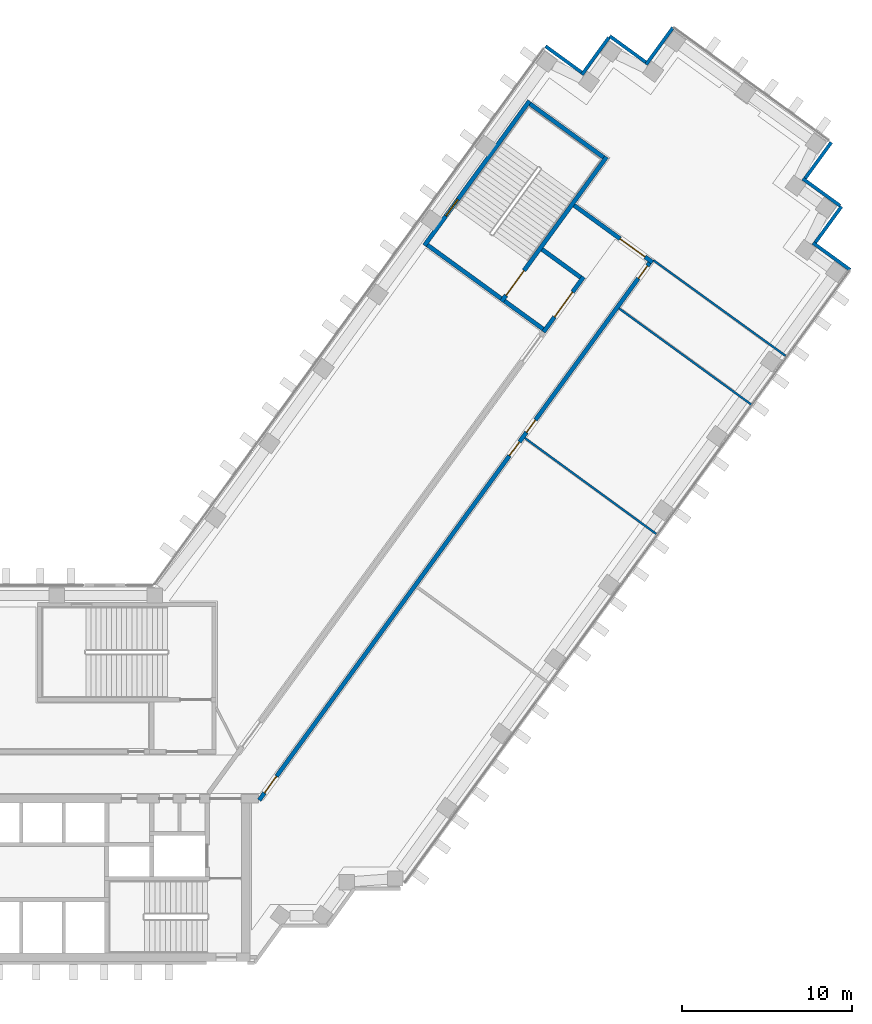
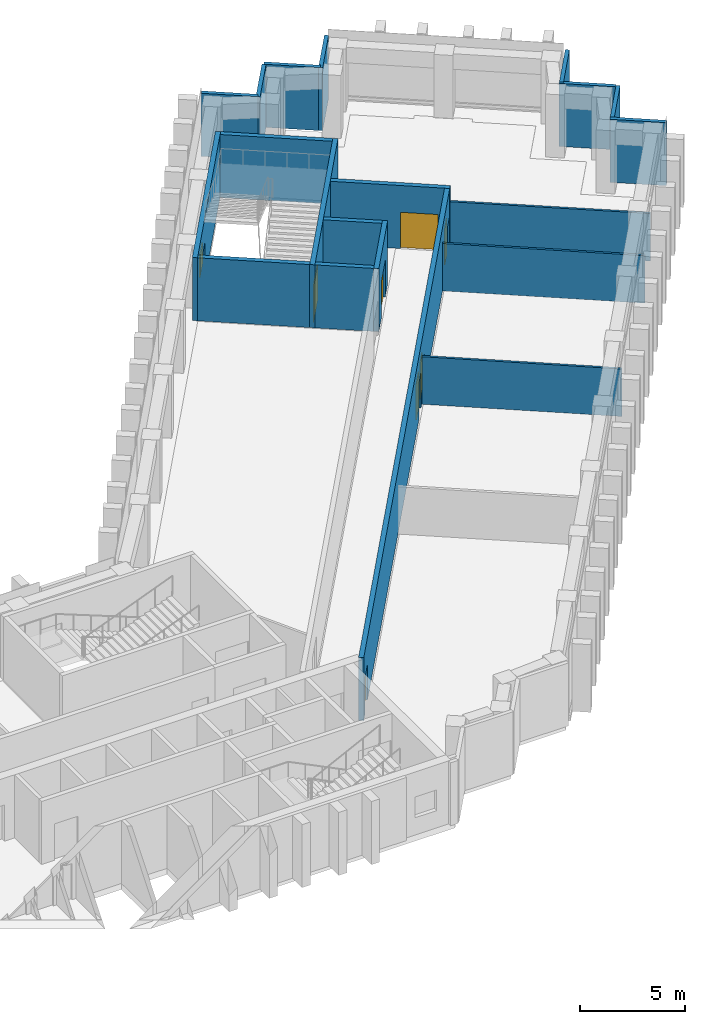
# One storey, part 12 of 16: 20 walls, 7 doors, 1 window, 8 openings.
"""IFC4 building model written with IfcOpenShell, lengths in metres."""

from ifc_helpers import new_model, si_unit, direction, frame, frame_2d, origin, place, context, subcontext, project, spatial, rectangle, extrude, material, layer, layer_set, type_object, element, fill, save


model = new_model("IFC4")

# Units and contexts
model_context = context("Model", 3, precision=1e-05, world=origin(), true_north=direction((0.0, 1.0)))
body_context = subcontext(model_context, "Body", "Model", "MODEL_VIEW")
ifc_project = project(units=[si_unit("LENGTHUNIT", "METRE"), si_unit("AREAUNIT", "SQUARE_METRE"), si_unit("VOLUMEUNIT", "CUBIC_METRE"), si_unit("PLANEANGLEUNIT", "RADIAN"), si_unit("MASSUNIT", "GRAM", prefix="KILO")], contexts=[model_context])

# Site, building, storey
site_placement = place(None, origin())
site = spatial("IfcSite", under=ifc_project, at=site_placement, CompositionType="ELEMENT")
building_placement = place(site_placement, origin())
building = spatial("IfcBuilding", under=site, at=building_placement, Name="Quipu Civic Tower", CompositionType="ELEMENT")
storey_placement = place(building_placement, frame((0.0, 0.0, 55.0)))
storey = spatial("IfcBuildingStorey", under=building, at=storey_placement, Name="L12", CompositionType="ELEMENT", Elevation=55.0)

# Wall, opening, door
ifc_material_1 = material(Name="Concrete C70/85", Category="concrete")
ifc_layer_1 = layer(ifc_material_1, 0.25)
ifc_layer_set_1 = layer_set([ifc_layer_1], Name="Concrete C70/85")
wall_type_1 = type_object("IfcWallType", Name="Core wall 250", PredefinedType="SHEAR", material=ifc_layer_set_1)
wall_1_placement = place(storey_placement, frame((37.237548828125, 25.979736328125, 0.0), z_axis=(0.0, 0.0, 1.0), x_axis=(0.587772420479, 0.809026317077, 0.0)))
wall_1 = element("IfcWall", 1, at=wall_1_placement, inside=storey, type_object=wall_type_1, Name="Core wall", PredefinedType="SHEAR", context=body_context, shape_type="SweptSolid", body=[
    extrude(rectangle(XDim=4.0, YDim=0.25, at=frame_2d((2.0, 0.0))), origin(), (0.0, 0.0, 1.0), 3.64990234375),
])
opening_1_placement = place(wall_1_placement, frame((1.10009765625, 0.0, 0.0)))
opening_1 = element("IfcOpeningElement", 2, at=opening_1_placement, cuts=wall_1, Name="Opening CD-22", PredefinedType="OPENING", context=body_context, shape_type="SweptSolid", body=[
    extrude(rectangle(XDim=1.800048828125, YDim=2.10009765625, at=frame_2d((0.89990234375, 1.050048828125))), frame((0.0, 0.135009765625, 0.0), z_axis=(0.0, -1.0, 0.0), x_axis=(1.0, 0.0, 0.0)), (0.0, 0.0, 1.0), 0.27001953125),
])
ifc_material_2 = material(Name="Fire rated steel door", Category="steel")
door_type_1 = type_object("IfcDoorType", Name="Fire door FD90 double 1800 x 2100", OperationType="NOTDEFINED", PredefinedType="DOOR", material=ifc_material_2)
door_1_placement = place(opening_1_placement, origin())
door_1 = element("IfcDoor", 3, at=door_1_placement, inside=storey, type_object=door_type_1, Name="Lobby door", OperationType="DOUBLE_DOOR_SINGLE_SWING", OverallHeight=2.10009765625, OverallWidth=1.800048828125, PredefinedType="DOOR", context=body_context, shape_type="SweptSolid", body=[
    extrude(rectangle(XDim=1.800048828125, YDim=2.10009765625, at=frame_2d((0.89990234375, 1.050048828125))), frame((0.0, 0.02490234375, 0.0), z_axis=(0.0, -1.0, 0.0), x_axis=(1.0, 0.0, 0.0)), (0.0, 0.0, 1.0), 0.050048828125),
])
fill(opening_1, door_1)

# Walls
for number, where, z_axis, x_axis, name in (
    (4, (37.2099609375, 26.154296875, 0.0), (0.0, 0.0, 1.0), (-0.809041377956, 0.587751689708, 0.0), "Core wall"),
    (5, (39.4140625, 29.18798828125, 0.0), (0.0, 0.0, 1.0), (-0.808969789945, 0.58785021813, 0.0), "Core wall"),
):
    element("IfcWall", number, at=place(storey_placement, frame(where, z_axis=z_axis, x_axis=x_axis)), inside=storey, type_object=wall_type_1, Name=name, PredefinedType="SHEAR", context=body_context, shape_type="SweptSolid", body=[
        extrude(rectangle(XDim=2.800048828125, YDim=0.25, at=frame_2d((1.39990234375, 0.0))), origin(), (0.0, 0.0, 1.0), 3.64990234375),
    ])

# Wall, opening, door
wall_2_placement = place(storey_placement, frame((34.77001953125, 27.7724609375, 0.0), z_axis=(0.0, 0.0, 1.0), x_axis=(0.587795589702, 0.809009483706, 0.0)))
wall_2 = element("IfcWall", 6, at=wall_2_placement, inside=storey, type_object=wall_type_1, Name="Core wall", PredefinedType="SHEAR", context=body_context, shape_type="SweptSolid", body=[
    extrude(rectangle(XDim=10.5, YDim=0.25, at=frame_2d((5.25, 0.0))), origin(), (0.0, 0.0, 1.0), 3.64990234375),
])
opening_2_placement = place(wall_2_placement, frame((0.449951171875, 0.0, 0.0)))
opening_2 = element("IfcOpeningElement", 7, at=opening_2_placement, cuts=wall_2, Name="Opening CD-23", PredefinedType="OPENING", context=body_context, shape_type="SweptSolid", body=[
    extrude(rectangle(XDim=1.800048828125, YDim=2.10009765625, at=frame_2d((0.89990234375, 1.050048828125))), frame((0.0, 0.135009765625, 0.0), z_axis=(0.0, -1.0, 0.0), x_axis=(1.0, 0.0, 0.0)), (0.0, 0.0, 1.0), 0.27001953125),
])
door_2_placement = place(opening_2_placement, origin())
door_2 = element("IfcDoor", 8, at=door_2_placement, inside=storey, type_object=door_type_1, Name="Door", OperationType="DOUBLE_DOOR_SINGLE_SWING", OverallHeight=2.10009765625, OverallWidth=1.800048828125, PredefinedType="DOOR", context=body_context, shape_type="SweptSolid", body=[
    extrude(rectangle(XDim=1.800048828125, YDim=2.10009765625, at=frame_2d((0.89990234375, 1.050048828125))), frame((0.0, 0.02490234375, 0.0), z_axis=(0.0, -1.0, 0.0), x_axis=(1.0, 0.0, 0.0)), (0.0, 0.0, 1.0), 0.050048828125),
])
fill(opening_2, door_2)

# Walls
wall_3_placement = place(storey_placement, frame((34.742431640625, 27.947021484375, 0.0), z_axis=(0.0, 0.0, 1.0), x_axis=(-0.8089984606, 0.587810760999, 0.0)))
element("IfcWall", 9, at=wall_3_placement, inside=storey, type_object=wall_type_1, Name="Core wall", PredefinedType="SHEAR", context=body_context, shape_type="SweptSolid", body=[
    extrude(rectangle(XDim=5.35009765625, YDim=0.25, at=frame_2d((2.675048828125, 0.0))), origin(), (0.0, 0.0, 1.0), 3.64990234375),
])
wall_4_placement = place(storey_placement, frame((40.76708984375, 36.239501953125, 0.0), z_axis=(0.0, 0.0, 1.0), x_axis=(-0.809020161303, 0.587780893365, 0.0)))
element("IfcWall", 10, at=wall_4_placement, inside=storey, type_object=wall_type_1, Name="Core wall", PredefinedType="SHEAR", context=body_context, shape_type="SweptSolid", body=[
    extrude(rectangle(XDim=5.349853515625, YDim=0.25, at=frame_2d((2.6748046875, 0.0))), origin(), (0.0, 0.0, 1.0), 3.64990234375),
])

# Wall, opening, window
wall_5_placement = place(storey_placement, frame((30.239501953125, 31.06396484375, 0.0), z_axis=(0.0, 0.0, 1.0), x_axis=(0.587795589702, 0.809009483706, 0.0)))
wall_5 = element("IfcWall", 11, at=wall_5_placement, inside=storey, type_object=wall_type_1, Name="Core wall", PredefinedType="SHEAR", context=body_context, shape_type="SweptSolid", body=[
    extrude(rectangle(XDim=10.5, YDim=0.25, at=frame_2d((5.25, 0.0))), origin(), (0.0, 0.0, 1.0), 3.64990234375),
])
opening_3_placement = place(wall_5_placement, frame((2.14990234375, 0.0, 1.0)))
opening_3 = element("IfcOpeningElement", 12, at=opening_3_placement, cuts=wall_5, Name="Opening SV-7", PredefinedType="OPENING", context=body_context, shape_type="SweptSolid", body=[
    extrude(rectangle(XDim=1.199951171875, YDim=1.199951171875, at=frame_2d((0.60009765625, 0.60009765625))), frame((0.0, 0.135009765625, 0.0), z_axis=(0.0, -1.0, 0.0), x_axis=(1.0, 0.0, 0.0)), (0.0, 0.0, 1.0), 0.27001953125),
])
ifc_material_3 = material(Name="Aluminium louvre", Category="aluminium")
window_type = type_object("IfcWindowType", Name="Stair ventilation louvre 1200 x 1200", PartitioningType="SINGLE_PANEL", PredefinedType="WINDOW", material=ifc_material_3)
window_placement = place(opening_3_placement, origin())
window = element("IfcWindow", 13, at=window_placement, inside=storey, type_object=window_type, Name="Stair ventilation opening", OverallHeight=1.199951171875, OverallWidth=1.199951171875, PartitioningType="SINGLE_PANEL", PredefinedType="WINDOW", context=body_context, shape_type="SweptSolid", body=[
    extrude(rectangle(XDim=1.199951171875, YDim=1.199951171875, at=frame_2d((0.60009765625, 0.60009765625))), frame((0.0, 0.030029296875, 0.0), z_axis=(0.0, -1.0, 0.0), x_axis=(1.0, 0.0, 0.0)), (0.0, 0.0, 1.0), 0.06005859375),
])
fill(opening_3, window)

# Wall, opening, door
ifc_material_4 = material(Name="Concrete C50/60", Category="concrete")
ifc_layer_2 = layer(ifc_material_4, 0.25)
ifc_layer_set_2 = layer_set([ifc_layer_2], Name="Concrete C50/60")
wall_type_2 = type_object("IfcWallType", Name="Corridor wall 250 concrete", PredefinedType="SOLIDWALL", material=ifc_layer_set_2)
wall_6_placement = place(storey_placement, frame((39.03369140625, 33.419921875, 0.0), z_axis=(0.0, 0.0, 1.0), x_axis=(0.809023325802, -0.587776537732, 0.0)))
wall_6 = element("IfcWall", 14, at=wall_6_placement, inside=storey, type_object=wall_type_2, Name="Corridor wall C07", PredefinedType="SOLIDWALL", context=body_context, shape_type="SweptSolid", body=[
    extrude(rectangle(XDim=5.695068359375, YDim=0.25, at=frame_2d((2.84765625, 0.0))), origin(), (0.0, 0.0, 1.0), 3.64990234375),
])
opening_4_placement = place(wall_6_placement, frame((3.34521484375, 0.0, 0.0)))
opening_4 = element("IfcOpeningElement", 15, at=opening_4_placement, cuts=wall_6, Name="Opening D007", PredefinedType="OPENING", context=body_context, shape_type="SweptSolid", body=[
    extrude(rectangle(XDim=1.800048828125, YDim=2.10009765625, at=frame_2d((0.89990234375, 1.050048828125))), frame((0.0, 0.135009765625, 0.0), z_axis=(0.0, -1.0, 0.0), x_axis=(1.0, 0.0, 0.0)), (0.0, 0.0, 1.0), 0.27001953125),
])
ifc_material_5 = material(Name="Fire rated timber door set with metal frame", Category="wood")
door_type_2 = type_object("IfcDoorType", Name="Double door 1800 x 2100 FD60", OperationType="DOUBLE_DOOR_SINGLE_SWING", PredefinedType="DOOR", material=ifc_material_5)
door_3_placement = place(opening_4_placement, origin())
door_3 = element("IfcDoor", 16, at=door_3_placement, inside=storey, type_object=door_type_2, Name="Door D007", OperationType="DOUBLE_DOOR_SINGLE_SWING", OverallHeight=2.10009765625, OverallWidth=1.800048828125, PredefinedType="DOOR", context=body_context, shape_type="SweptSolid", body=[
    extrude(rectangle(XDim=1.800048828125, YDim=2.10009765625, at=frame_2d((0.89990234375, 1.050048828125))), frame((0.0, 0.02490234375, 0.0), z_axis=(0.0, -1.0, 0.0), x_axis=(1.0, 0.0, 0.0)), (0.0, 0.0, 1.0), 0.050048828125),
])
fill(opening_4, door_3)

# Wall, openings, doors
wall_7_placement = place(storey_placement, frame((43.466552734375, 30.044677734375, 0.0), z_axis=(0.0, 0.0, 1.0), x_axis=(-0.587784726077, -0.809017376692, 0.0)))
wall_7 = element("IfcWall", 17, at=wall_7_placement, inside=storey, type_object=wall_type_2, Name="Corridor wall C08", PredefinedType="SOLIDWALL", context=body_context, shape_type="SweptSolid", body=[
    extrude(rectangle(XDim=39.020263671875, YDim=0.25, at=frame_2d((19.51025390625, 0.0))), origin(), (0.0, 0.0, 1.0), 3.64990234375),
])
opening_5_placement = place(wall_7_placement, frame((11.404296875, 0.0, 0.0)))
opening_5 = element("IfcOpeningElement", 18, at=opening_5_placement, cuts=wall_7, Name="Opening D005", PredefinedType="OPENING", context=body_context, shape_type="SweptSolid", body=[
    extrude(rectangle(XDim=0.89990234375, YDim=2.10009765625, at=frame_2d((0.449951171875, 1.050048828125))), frame((0.0, 0.135009765625, 0.0), z_axis=(0.0, -1.0, 0.0), x_axis=(1.0, 0.0, 0.0)), (0.0, 0.0, 1.0), 0.27001953125),
])
opening_6_placement = place(wall_7_placement, frame((13.00439453125, 0.0, 0.0)))
opening_6 = element("IfcOpeningElement", 19, at=opening_6_placement, cuts=wall_7, Name="Opening D004", PredefinedType="OPENING", context=body_context, shape_type="SweptSolid", body=[
    extrude(rectangle(XDim=1.0, YDim=2.10009765625, at=frame_2d((0.5, 1.050048828125))), frame((0.0, 0.135009765625, 0.0), z_axis=(0.0, -1.0, 0.0), x_axis=(1.0, 0.0, 0.0)), (0.0, 0.0, 1.0), 0.27001953125),
])
opening_7_placement = place(wall_7_placement, frame((37.287109375, 0.0, 0.0)))
opening_7 = element("IfcOpeningElement", 20, at=opening_7_placement, cuts=wall_7, Name="Opening D003", PredefinedType="OPENING", context=body_context, shape_type="SweptSolid", body=[
    extrude(rectangle(XDim=1.199951171875, YDim=2.10009765625, at=frame_2d((0.60009765625, 1.050048828125))), frame((0.0, 0.135009765625, 0.0), z_axis=(0.0, -1.0, 0.0), x_axis=(1.0, 0.0, 0.0)), (0.0, 0.0, 1.0), 0.27001953125),
])
opening_8_placement = place(wall_7_placement, frame((0.224365234375, 0.0, 0.0)))
opening_8 = element("IfcOpeningElement", 21, at=opening_8_placement, cuts=wall_7, Name="Opening D006", PredefinedType="OPENING", context=body_context, shape_type="SweptSolid", body=[
    extrude(rectangle(XDim=0.89990234375, YDim=2.10009765625, at=frame_2d((0.449951171875, 1.050048828125))), frame((0.0, 0.135009765625, 0.0), z_axis=(0.0, -1.0, 0.0), x_axis=(1.0, 0.0, 0.0)), (0.0, 0.0, 1.0), 0.27001953125),
])
ifc_material_6 = material(Name="Fire rated timber door set with metal frame", Category="wood")
door_type_3 = type_object("IfcDoorType", Name="Single door 1000 x 2100 FD60", OperationType="NOTDEFINED", PredefinedType="DOOR", material=ifc_material_6)
door_4_placement = place(opening_6_placement, origin())
door_4 = element("IfcDoor", 22, at=door_4_placement, inside=storey, type_object=door_type_3, Name="Door D004", OperationType="SINGLE_SWING_LEFT", OverallHeight=2.10009765625, OverallWidth=1.0, PredefinedType="DOOR", context=body_context, shape_type="SweptSolid", body=[
    extrude(rectangle(XDim=1.0, YDim=2.10009765625, at=frame_2d((0.5, 1.050048828125))), frame((0.0, 0.02490234375, 0.0), z_axis=(0.0, -1.0, 0.0), x_axis=(1.0, 0.0, 0.0)), (0.0, 0.0, 1.0), 0.050048828125),
])
fill(opening_6, door_4)
ifc_material_7 = material(Name="Fire rated timber door set with metal frame", Category="wood")
door_type_4 = type_object("IfcDoorType", Name="Single door 1200 x 2100 FD60", OperationType="NOTDEFINED", PredefinedType="DOOR", material=ifc_material_7)
door_5_placement = place(opening_7_placement, origin())
door_5 = element("IfcDoor", 23, at=door_5_placement, inside=storey, type_object=door_type_4, Name="Door D003", OperationType="SINGLE_SWING_RIGHT", OverallHeight=2.10009765625, OverallWidth=1.199951171875, PredefinedType="DOOR", context=body_context, shape_type="SweptSolid", body=[
    extrude(rectangle(XDim=1.199951171875, YDim=2.10009765625, at=frame_2d((0.60009765625, 1.050048828125))), frame((0.0, 0.02490234375, 0.0), z_axis=(0.0, -1.0, 0.0), x_axis=(1.0, 0.0, 0.0)), (0.0, 0.0, 1.0), 0.050048828125),
])
fill(opening_7, door_5)
ifc_material_8 = material(Name="Fire rated timber door set with metal frame", Category="wood")
door_type_5 = type_object("IfcDoorType", Name="Single door 900 x 2100 FD60", OperationType="NOTDEFINED", PredefinedType="DOOR", material=ifc_material_8)
door_6_placement = place(opening_5_placement, origin())
door_6 = element("IfcDoor", 24, at=door_6_placement, inside=storey, type_object=door_type_5, Name="Door D005", OperationType="SINGLE_SWING_RIGHT", OverallHeight=2.10009765625, OverallWidth=0.89990234375, PredefinedType="DOOR", context=body_context, shape_type="SweptSolid", body=[
    extrude(rectangle(XDim=0.89990234375, YDim=2.10009765625, at=frame_2d((0.449951171875, 1.050048828125))), frame((0.0, 0.02490234375, 0.0), z_axis=(0.0, -1.0, 0.0), x_axis=(1.0, 0.0, 0.0)), (0.0, 0.0, 1.0), 0.050048828125),
])
fill(opening_5, door_6)
door_7_placement = place(opening_8_placement, origin())
door_7 = element("IfcDoor", 25, at=door_7_placement, inside=storey, type_object=door_type_5, Name="Door D006", OperationType="SINGLE_SWING_LEFT", OverallHeight=2.10009765625, OverallWidth=0.89990234375, PredefinedType="DOOR", context=body_context, shape_type="SweptSolid", body=[
    extrude(rectangle(XDim=0.89990234375, YDim=2.10009765625, at=frame_2d((0.449951171875, 1.050048828125))), frame((0.0, 0.02490234375, 0.0), z_axis=(0.0, -1.0, 0.0), x_axis=(1.0, 0.0, 0.0)), (0.0, 0.0, 1.0), 0.050048828125),
])
fill(opening_8, door_7)

# Walls
ifc_material_9 = material(Name="Gypsum plasterboard on light gauge framing")
ifc_layer_3 = layer(ifc_material_9, 0.1201171875)
ifc_layer_set_3 = layer_set([ifc_layer_3], Name="Gypsum plasterboard on light gauge framing")
wall_type_3 = type_object("IfcWallType", Name="Partition 120 plasterboard", PredefinedType="PARTITIONING", material=ifc_layer_set_3)
wall_8_placement = place(storey_placement, frame((43.698486328125, 30.185302734375, 0.0), z_axis=(0.0, 0.0, 1.0), x_axis=(0.810419489461, -0.58585002441, 0.0)))
element("IfcWall", 26, at=wall_8_placement, inside=storey, type_object=wall_type_3, Name="Partition P01", PredefinedType="PARTITIONING", context=body_context, shape_type="SweptSolid", body=[
    extrude(rectangle(XDim=9.570068359375, YDim=0.1201171875, at=frame_2d((4.78515625, 0.0))), origin(), (0.0, 0.0, 1.0), 2.75),
])
wall_9_placement = place(storey_placement, frame((36.140869140625, 19.749267578125, 0.0), z_axis=(0.0, 0.0, 1.0), x_axis=(0.807691251741, -0.589605666408, 0.0)))
element("IfcWall", 27, at=wall_9_placement, inside=storey, type_object=wall_type_3, Name="Partition P06", PredefinedType="PARTITIONING", context=body_context, shape_type="SweptSolid", body=[
    extrude(rectangle(XDim=9.55029296875, YDim=0.1201171875, at=frame_2d((4.775146484375, 0.0))), origin(), (0.0, 0.0, 1.0), 2.75),
])
wall_10_placement = place(storey_placement, frame((49.47998046875, 21.689697265625, 0.0), z_axis=(0.0, 0.0, 1.0), x_axis=(-0.808999631097, 0.587809150052, 0.0)))
element("IfcWall", 28, at=wall_10_placement, inside=storey, type_object=wall_type_3, Name="Partition P07", PredefinedType="PARTITIONING", context=body_context, shape_type="SweptSolid", body=[
    extrude(rectangle(XDim=9.6513671875, YDim=0.1201171875, at=frame_2d((4.82568359375, 0.0))), origin(), (0.0, 0.0, 1.0), 2.75),
])
ifc_material_10 = material(Name="Precast concrete C40/50", Category="concrete")
wall_type_4 = type_object("IfcWallType", Name="Precast cladding wall", PredefinedType="SOLIDWALL", material=ifc_material_10)
wall_11_placement = place(storey_placement, frame((55.2470703125, 29.62890625, 0.0), z_axis=(0.0, 0.0, 1.0), x_axis=(-0.809033161865, 0.587762999008, 0.0)))
element("IfcWall", 29, at=wall_11_placement, inside=storey, type_object=wall_type_4, Name="Precast cladding wall L12 27", PredefinedType="SOLIDWALL", context=body_context, shape_type="SweptSolid", body=[
    extrude(rectangle(XDim=2.699951171875, YDim=0.199951171875, at=frame_2d((1.35009765625, 0.0))), origin(), (0.0, 0.0, 1.0), 3.64990234375),
])
wall_12_placement = place(storey_placement, frame((53.150634765625, 31.166748046875, 0.0), z_axis=(0.0, 0.0, 1.0), x_axis=(0.587779184282, 0.809021403008, 0.0)))
element("IfcWall", 30, at=wall_12_placement, inside=storey, type_object=wall_type_4, Name="Precast cladding wall L12 28", PredefinedType="SOLIDWALL", context=body_context, shape_type="SweptSolid", body=[
    extrude(rectangle(XDim=2.7001953125, YDim=0.199951171875, at=frame_2d((1.35009765625, 0.0))), origin(), (0.0, 0.0, 1.0), 3.64990234375),
])
for number, where, z_axis, x_axis, name in (
    (31, (54.649658203125, 33.400390625, 0.0), (0.0, 0.0, 1.0), (-0.809033161865, 0.587762999008, 0.0), "Precast cladding wall L12 29"),
    (32, (52.55322265625, 34.938232421875, 0.0), (0.0, 0.0, 1.0), (0.587822180636, 0.808990163075, 0.0), "Precast cladding wall L12 30"),
    (33, (44.846435546875, 43.875, 0.0), (0.0, 0.0, 1.0), (-0.587822180636, -0.808990163075, 0.0), "Precast cladding wall L12 32"),
    (34, (43.308349609375, 41.77880859375, 0.0), (0.0, 0.0, 1.0), (-0.809033161865, 0.587762999008, 0.0), "Precast cladding wall L12 33"),
):
    element("IfcWall", number, at=place(storey_placement, frame(where, z_axis=z_axis, x_axis=x_axis)), inside=storey, type_object=wall_type_4, Name=name, PredefinedType="SOLIDWALL", context=body_context, shape_type="SweptSolid", body=[
        extrude(rectangle(XDim=2.699951171875, YDim=0.199951171875, at=frame_2d((1.35009765625, 0.0))), origin(), (0.0, 0.0, 1.0), 3.64990234375),
    ])
wall_13_placement = place(storey_placement, frame((41.074951171875, 43.277587890625, 0.0), z_axis=(0.0, 0.0, 1.0), x_axis=(-0.587806000234, -0.809001919707, 0.0)))
element("IfcWall", 35, at=wall_13_placement, inside=storey, type_object=wall_type_4, Name="Precast cladding wall L12 34", PredefinedType="SOLIDWALL", context=body_context, shape_type="SweptSolid", body=[
    extrude(rectangle(XDim=2.69970703125, YDim=0.199951171875, at=frame_2d((1.349853515625, 0.0))), origin(), (0.0, 0.0, 1.0), 3.64990234375),
])
wall_14_placement = place(storey_placement, frame((39.537109375, 41.181396484375, 0.0), z_axis=(0.0, 0.0, 1.0), x_axis=(-0.809033161865, 0.587762999008, 0.0)))
element("IfcWall", 36, at=wall_14_placement, inside=storey, type_object=wall_type_4, Name="Precast cladding wall L12 35", PredefinedType="SOLIDWALL", context=body_context, shape_type="SweptSolid", body=[
    extrude(rectangle(XDim=2.699951171875, YDim=0.199951171875, at=frame_2d((1.35009765625, 0.0))), origin(), (0.0, 0.0, 1.0), 3.64990234375),
])

save(model, "model.ifc")
